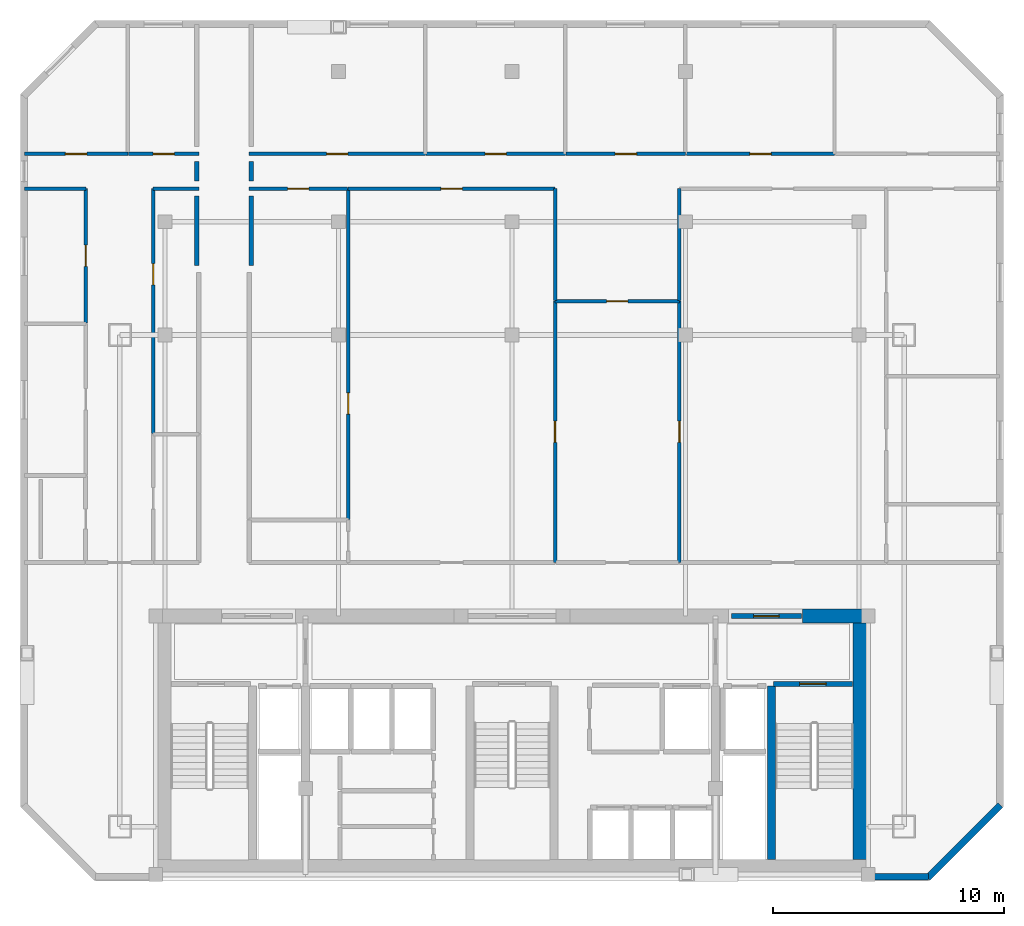
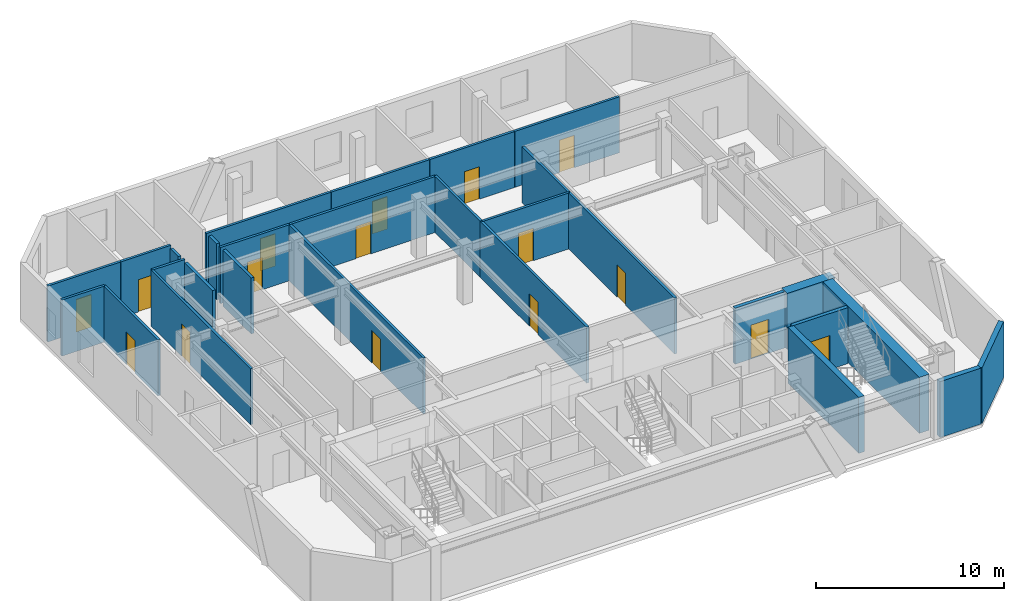
# One storey, part 4 of 7: 29 walls, 16 doors, 16 openings.
"""IFC4 building model written with IfcOpenShell, lengths in metres."""

from ifc_helpers import new_model, si_unit, direction, frame, frame_2d, origin, place, context, subcontext, project, spatial, rectangle, extrude, material, layer, layer_set, type_object, element, fill, save


model = new_model("IFC4")

# Units and contexts
model_context = context("Model", 3, precision=1e-05, world=origin(), true_north=direction((0.0, 1.0)))
body_context = subcontext(model_context, "Body", "Model", "MODEL_VIEW")
ifc_project = project(units=[si_unit("LENGTHUNIT", "METRE"), si_unit("AREAUNIT", "SQUARE_METRE"), si_unit("VOLUMEUNIT", "CUBIC_METRE"), si_unit("PLANEANGLEUNIT", "RADIAN"), si_unit("MASSUNIT", "GRAM", prefix="KILO")], contexts=[model_context])

# Site, building, storey
site_placement = place(None, origin())
site = spatial("IfcSite", under=ifc_project, at=site_placement, CompositionType="ELEMENT")
building_placement = place(site_placement, origin())
building = spatial("IfcBuilding", under=site, at=building_placement, Name="Ventersveld Concourse Tower", CompositionType="ELEMENT")
storey_placement = place(building_placement, frame((0.0, 0.0, 231.10009765625)))
storey = spatial("IfcBuildingStorey", under=building, at=storey_placement, Name="L57", CompositionType="ELEMENT", Elevation=231.10009765625)

# Walls
ifc_material_1 = material(Name="Concrete C50/60", Category="concrete")
ifc_layer_1 = layer(ifc_material_1, 0.35009765625)
ifc_layer_set_1 = layer_set([ifc_layer_1], Name="Concrete C50/60")
wall_type_1 = type_object("IfcWallType", Name="WL-CORE-350U", PredefinedType="SHEAR", material=ifc_layer_set_1)
wall_1_placement = place(storey_placement, frame((39.9599609375, 0.919921875, 0.0), z_axis=(0.0, 0.0, 1.0), x_axis=(0.0, 1.0, 0.0)))
element("IfcWall", 1, at=wall_1_placement, inside=storey, type_object=wall_type_1, Name="L57 Core Internal Shear Web W-ST2-W", PredefinedType="SHEAR", context=body_context, shape_type="SweptSolid", body=[
    extrude(rectangle(XDim=7.5, YDim=0.35009765625, at=frame_2d((3.75, 0.0))), origin(), (0.0, 0.0, 1.0), 3.6298828125),
])
ifc_layer_2 = layer(ifc_material_1, 0.60009765625)
ifc_layer_set_2 = layer_set([ifc_layer_2], Name="Concrete C50/60")
wall_type_2 = type_object("IfcWallType", Name="WL-CORE-600", PredefinedType="SHEAR", material=ifc_layer_set_2)
wall_2_placement = place(storey_placement, frame((43.800048828125, 0.919921875, 0.0), z_axis=(0.0, 0.0, 1.0), x_axis=(0.0, 1.0, 0.0)))
element("IfcWall", 2, at=wall_2_placement, inside=storey, type_object=wall_type_2, Name="L57 Rear Core East Shear Wall", PredefinedType="SHEAR", context=body_context, shape_type="SweptSolid", body=[
    extrude(rectangle(XDim=10.530029296875, YDim=0.60009765625, at=frame_2d((5.26513671875, 0.0))), origin(), (0.0, 0.0, 1.0), 3.6298828125),
])
wall_3_placement = place(storey_placement, frame((41.300048828125, 11.449951171875, 0.0), z_axis=(0.0, 0.0, 1.0), x_axis=(1.0, 0.0, 0.0)))
element("IfcWall", 3, at=wall_3_placement, inside=storey, type_object=wall_type_2, Name="L57 Rear Core North Shear Wall NE", PredefinedType="SHEAR", context=body_context, shape_type="SweptSolid", body=[
    extrude(rectangle(XDim=2.949951171875, YDim=0.60009765625, at=frame_2d((1.47509765625, 0.0))), origin(), (0.0, 0.0, 1.0), 3.6298828125),
])
ifc_material_2 = material(Name="Fire-rated autoclaved aerated masonry blockwork", Category="masonry")
ifc_layer_3 = layer(ifc_material_2, 0.179931640625)
ifc_layer_set_3 = layer_set([ifc_layer_3], Name="Fire-rated autoclaved aerated masonry blockwork")
wall_type_3 = type_object("IfcWallType", Name="WL-CORR-180", PredefinedType="PARTITIONING", material=ifc_layer_set_3)
wall_4_placement = place(storey_placement, frame((15.1201171875, 31.10498046875, 0.0), z_axis=(0.0, 0.0, 1.0), x_axis=(0.0, -1.0, 0.0)))
element("IfcWall", 4, at=wall_4_placement, inside=storey, type_object=wall_type_3, Name="L57 Room Enclosure Wall SP-L57-57NW-LIV", PredefinedType="PARTITIONING", context=body_context, shape_type="SweptSolid", body=[
    extrude(rectangle(XDim=0.85009765625, YDim=0.179931640625, at=frame_2d((0.425048828125, 0.0))), origin(), (0.0, 0.0, 1.0), 3.6298828125),
])
wall_5_placement = place(storey_placement, frame((15.1201171875, 29.60498046875, 0.0), z_axis=(0.0, 0.0, 1.0), x_axis=(0.0, -1.0, 0.0)))
element("IfcWall", 5, at=wall_5_placement, inside=storey, type_object=wall_type_3, Name="L57 Room Enclosure Wall SP-L57-57NW-MEDR1", PredefinedType="PARTITIONING", context=body_context, shape_type="SweptSolid", body=[
    extrude(rectangle(XDim=2.9951171875, YDim=0.179931640625, at=frame_2d((1.49755859375, 0.0))), origin(), (0.0, 0.0, 1.0), 3.6298828125),
])
wall_6_placement = place(storey_placement, frame((17.47998046875, 30.2548828125, 0.0), z_axis=(0.0, 0.0, 1.0), x_axis=(0.0, 1.0, 0.0)))
element("IfcWall", 6, at=wall_6_placement, inside=storey, type_object=wall_type_3, Name="L57 Room Enclosure Wall SP-L57-57N1-LIV", PredefinedType="PARTITIONING", context=body_context, shape_type="SweptSolid", body=[
    extrude(rectangle(XDim=0.85009765625, YDim=0.179931640625, at=frame_2d((0.425048828125, 0.0))), origin(), (0.0, 0.0, 1.0), 3.6298828125),
])
wall_7_placement = place(storey_placement, frame((17.47998046875, 26.60986328125, 0.0), z_axis=(0.0, 0.0, 1.0), x_axis=(0.0, 1.0, 0.0)))
element("IfcWall", 7, at=wall_7_placement, inside=storey, type_object=wall_type_3, Name="L57 Room Enclosure Wall SP-L57-57N1-MEDL0", PredefinedType="PARTITIONING", context=body_context, shape_type="SweptSolid", body=[
    extrude(rectangle(XDim=2.9951171875, YDim=0.179931640625, at=frame_2d((1.49755859375, 0.0))), origin(), (0.0, 0.0, 1.0), 3.6298828125),
])

# Wall, opening, door
ifc_layer_4 = layer(ifc_material_2, 0.219970703125)
ifc_layer_set_4 = layer_set([ifc_layer_4], Name="Fire-rated autoclaved aerated masonry blockwork")
wall_type_4 = type_object("IfcWallType", Name="WL-HOIST-220", PredefinedType="SOLIDWALL", material=ifc_layer_set_4)
wall_8_placement = place(storey_placement, frame((40.06005859375, 8.52001953125, 0.0), z_axis=(0.0, 0.0, 1.0), x_axis=(1.0, 0.0, 0.0)))
wall_8 = element("IfcWall", 8, at=wall_8_placement, inside=storey, type_object=wall_type_4, Name="L57 Escape Stair ST02 Fire Wall", PredefinedType="SOLIDWALL", context=body_context, shape_type="SweptSolid", body=[
    extrude(rectangle(XDim=3.39990234375, YDim=0.219970703125, at=frame_2d((1.699951171875, 0.0))), origin(), (0.0, 0.0, 1.0), 3.6298828125),
])
opening_1_placement = place(wall_8_placement, frame((1.125, 0.0, 0.0)))
opening_1 = element("IfcOpeningElement", 9, at=opening_1_placement, cuts=wall_8, Name="Opening FD1", PredefinedType="OPENING", context=body_context, shape_type="SweptSolid", body=[
    extrude(rectangle(XDim=1.14990234375, YDim=2.199951171875, at=frame_2d((0.574951171875, 1.10009765625))), frame((0.0, 0.1201171875, 0.0), z_axis=(0.0, -1.0, 0.0), x_axis=(1.0, 0.0, 0.0)), (0.0, 0.0, 1.0), 0.239990234375),
])
ifc_material_3 = material(Name="Galvanised painted steel", Category="steel")
door_type_1 = type_object("IfcDoorType", Name="DR-STAIR-115", OperationType="NOTDEFINED", PredefinedType="DOOR", material=ifc_material_3)
door_1_placement = place(opening_1_placement, origin())
door_1 = element("IfcDoor", 10, at=door_1_placement, inside=storey, type_object=door_type_1, Name="L57 Escape Stair Door ST02 (SD-L57-2737)", OperationType="SINGLE_SWING_RIGHT", OverallHeight=2.199951171875, OverallWidth=1.14990234375, PredefinedType="DOOR", context=body_context, shape_type="SweptSolid", body=[
    extrude(rectangle(XDim=1.14990234375, YDim=2.199951171875, at=frame_2d((0.574951171875, 1.10009765625))), frame((0.0, 0.02490234375, 0.0), z_axis=(0.0, -1.0, 0.0), x_axis=(1.0, 0.0, 0.0)), (0.0, 0.0, 1.0), 0.050048828125),
])
fill(opening_1, door_1)

wall_9_placement = place(storey_placement, frame((38.22998046875, 11.449951171875, 0.0), z_axis=(0.0, 0.0, 1.0), x_axis=(1.0, 0.0, 0.0)))
wall_9 = element("IfcWall", 11, at=wall_9_placement, inside=storey, type_object=wall_type_4, Name="L57 Core North Fire Portal FFLE-OUT", PredefinedType="SOLIDWALL", context=body_context, shape_type="SweptSolid", body=[
    extrude(rectangle(XDim=3.0400390625, YDim=0.219970703125, at=frame_2d((1.52001953125, 0.0))), origin(), (0.0, 0.0, 1.0), 3.6298828125),
])
opening_2_placement = place(wall_9_placement, frame((0.969970703125, 0.0, 0.0)))
opening_2 = element("IfcOpeningElement", 12, at=opening_2_placement, cuts=wall_9, Name="Opening FD2", PredefinedType="OPENING", context=body_context, shape_type="SweptSolid", body=[
    extrude(rectangle(XDim=1.10009765625, YDim=2.199951171875, at=frame_2d((0.550048828125, 1.10009765625))), frame((0.0, 0.1201171875, 0.0), z_axis=(0.0, -1.0, 0.0), x_axis=(1.0, 0.0, 0.0)), (0.0, 0.0, 1.0), 0.239990234375),
])
door_type_2 = type_object("IfcDoorType", Name="DR-FFL-110", OperationType="NOTDEFINED", PredefinedType="DOOR", material=ifc_material_3)
door_2_placement = place(opening_2_placement, origin())
door_2 = element("IfcDoor", 13, at=door_2_placement, inside=storey, type_object=door_type_2, Name="L57 Core Lobby Fire Door FFLE-OUT (FD-L57-2743)", OperationType="SINGLE_SWING_LEFT", OverallHeight=2.199951171875, OverallWidth=1.10009765625, PredefinedType="DOOR", context=body_context, shape_type="SweptSolid", body=[
    extrude(rectangle(XDim=1.10009765625, YDim=2.199951171875, at=frame_2d((0.550048828125, 1.10009765625))), frame((0.0, 0.02490234375, 0.0), z_axis=(0.0, -1.0, 0.0), x_axis=(1.0, 0.0, 0.0)), (0.0, 0.0, 1.0), 0.050048828125),
])
fill(opening_2, door_2)

ifc_material_4 = material(Name="Autoclaved aerated masonry blockwork", Category="masonry")
ifc_layer_5 = layer(ifc_material_4, 0.14990234375)
ifc_layer_set_5 = layer_set([ifc_layer_5], Name="Autoclaved aerated masonry blockwork")
wall_type_5 = type_object("IfcWallType", Name="WL-INT-150", PredefinedType="PARTITIONING", material=ifc_layer_set_5)
wall_10_placement = place(storey_placement, frame((10.31787109375, 24.122802734375, 0.0), z_axis=(0.0, 0.0, 1.0), x_axis=(0.0, 1.0, 0.0)))
wall_10 = element("IfcWall", 14, at=wall_10_placement, inside=storey, type_object=wall_type_5, Name="L57 Interior Partition SP-L57-57NW-LIV-SP-L57-57NW-OFFL2", PredefinedType="PARTITIONING", context=body_context, shape_type="SweptSolid", body=[
    extrude(rectangle(XDim=5.812255859375, YDim=0.14990234375, at=frame_2d((2.90625, 0.0))), origin(), (0.0, 0.0, 1.0), 3.6298828125),
])
opening_3_placement = place(wall_10_placement, frame((2.446044921875, 0.0, 0.0)))
opening_3 = element("IfcOpeningElement", 15, at=opening_3_placement, cuts=wall_10, Name="Opening ID1", PredefinedType="OPENING", context=body_context, shape_type="SweptSolid", body=[
    extrude(rectangle(XDim=0.919921875, YDim=2.10009765625, at=frame_2d((0.4599609375, 1.050048828125))), frame((0.0, 0.0849609375, 0.0), z_axis=(0.0, -1.0, 0.0), x_axis=(1.0, 0.0, 0.0)), (0.0, 0.0, 1.0), 0.169921875),
])
ifc_material_5 = material(Name="Solid-core hardwood veneer timber", Category="wood")
door_type_3 = type_object("IfcDoorType", Name="DR-ROOM-092", OperationType="NOTDEFINED", PredefinedType="DOOR", material=ifc_material_5)
door_3_placement = place(opening_3_placement, origin())
door_3 = element("IfcDoor", 16, at=door_3_placement, inside=storey, type_object=door_type_3, Name="L57 Interior Door SP-L57-57NW-LIV to SP-L57-57NW-OFFL2 (D-L57-2754)", OperationType="SINGLE_SWING_RIGHT", OverallHeight=2.10009765625, OverallWidth=0.919921875, PredefinedType="DOOR", context=body_context, shape_type="SweptSolid", body=[
    extrude(rectangle(XDim=0.919921875, YDim=2.10009765625, at=frame_2d((0.4599609375, 1.050048828125))), frame((0.0, 0.02490234375, 0.0), z_axis=(0.0, -1.0, 0.0), x_axis=(1.0, 0.0, 0.0)), (0.0, 0.0, 1.0), 0.050048828125),
])
fill(opening_3, door_3)

# Wall
wall_11_placement = place(storey_placement, frame((7.672607421875, 29.929931640625, 0.0), z_axis=(0.0, 0.0, 1.0), x_axis=(1.0, 0.0, 0.0)))
element("IfcWall", 17, at=wall_11_placement, inside=storey, type_object=wall_type_5, Name="L57 Interior Partition SP-L57-57NW-LIV-SP-L57-57NW-OFFL2", PredefinedType="PARTITIONING", context=body_context, shape_type="SweptSolid", body=[
    extrude(rectangle(XDim=2.650146484375, YDim=0.14990234375, at=frame_2d((1.3251953125, 0.0))), origin(), (0.0, 0.0, 1.0), 3.6298828125),
])

# Wall, opening, door
wall_12_placement = place(storey_placement, frame((13.23828125, 19.3427734375, 0.0), z_axis=(0.0, 0.0, 1.0), x_axis=(0.0, 1.0, 0.0)))
wall_12 = element("IfcWall", 18, at=wall_12_placement, inside=storey, type_object=wall_type_5, Name="L57 Interior Partition SP-L57-57NW-LIV-SP-L57-57NW-MEDR1", PredefinedType="PARTITIONING", context=body_context, shape_type="SweptSolid", body=[
    extrude(rectangle(XDim=10.59228515625, YDim=0.14990234375, at=frame_2d((5.296142578125, 0.0))), origin(), (0.0, 0.0, 1.0), 3.6298828125),
])
opening_4_placement = place(wall_12_placement, frame((6.425048828125, 0.0, 0.0)))
opening_4 = element("IfcOpeningElement", 19, at=opening_4_placement, cuts=wall_12, Name="Opening ID1", PredefinedType="OPENING", context=body_context, shape_type="SweptSolid", body=[
    extrude(rectangle(XDim=0.919921875, YDim=2.10009765625, at=frame_2d((0.4599609375, 1.050048828125))), frame((0.0, 0.0849609375, 0.0), z_axis=(0.0, -1.0, 0.0), x_axis=(1.0, 0.0, 0.0)), (0.0, 0.0, 1.0), 0.169921875),
])
door_4_placement = place(opening_4_placement, origin())
door_4 = element("IfcDoor", 20, at=door_4_placement, inside=storey, type_object=door_type_3, Name="L57 Interior Door SP-L57-57NW-LIV to SP-L57-57NW-MEDR1 (D-L57-2756)", OperationType="SINGLE_SWING_RIGHT", OverallHeight=2.10009765625, OverallWidth=0.919921875, PredefinedType="DOOR", context=body_context, shape_type="SweptSolid", body=[
    extrude(rectangle(XDim=0.919921875, YDim=2.10009765625, at=frame_2d((0.4599609375, 1.050048828125))), frame((0.0, 0.02490234375, 0.0), z_axis=(0.0, -1.0, 0.0), x_axis=(1.0, 0.0, 0.0)), (0.0, 0.0, 1.0), 0.050048828125),
])
fill(opening_4, door_4)

# Wall
wall_13_placement = place(storey_placement, frame((13.233154296875, 29.929931640625, 0.0), z_axis=(0.0, 0.0, 1.0), x_axis=(1.0, 0.0, 0.0)))
element("IfcWall", 21, at=wall_13_placement, inside=storey, type_object=wall_type_5, Name="L57 Interior Partition SP-L57-57NW-LIV-SP-L57-57NW-MEDR1", PredefinedType="PARTITIONING", context=body_context, shape_type="SweptSolid", body=[
    extrude(rectangle(XDim=1.98193359375, YDim=0.14990234375, at=frame_2d((0.990966796875, 0.0))), origin(), (0.0, 0.0, 1.0), 3.6298828125),
])

# Wall, opening, door
wall_14_placement = place(storey_placement, frame((7.672607421875, 31.429931640625, 0.0), z_axis=(0.0, 0.0, 1.0), x_axis=(1.0, 0.0, 0.0)))
wall_14 = element("IfcWall", 22, at=wall_14_placement, inside=storey, type_object=wall_type_5, Name="L57 Interior Partition SP-L57-57NW-LIV-SP-L57-57NW-BR1", PredefinedType="PARTITIONING", context=body_context, shape_type="SweptSolid", body=[
    extrude(rectangle(XDim=4.46826171875, YDim=0.14990234375, at=frame_2d((2.234130859375, 0.0))), origin(), (0.0, 0.0, 1.0), 3.6298828125),
])
opening_5_placement = place(wall_14_placement, frame((1.774169921875, 0.0, 0.0)))
opening_5 = element("IfcOpeningElement", 23, at=opening_5_placement, cuts=wall_14, Name="Opening ID1", PredefinedType="OPENING", context=body_context, shape_type="SweptSolid", body=[
    extrude(rectangle(XDim=0.919921875, YDim=2.10009765625, at=frame_2d((0.4599609375, 1.050048828125))), frame((0.0, 0.0849609375, 0.0), z_axis=(0.0, -1.0, 0.0), x_axis=(1.0, 0.0, 0.0)), (0.0, 0.0, 1.0), 0.169921875),
])
door_5_placement = place(opening_5_placement, origin())
door_5 = element("IfcDoor", 24, at=door_5_placement, inside=storey, type_object=door_type_3, Name="L57 Interior Door SP-L57-57NW-LIV to SP-L57-57NW-BR1 (D-L57-2757)", OperationType="SINGLE_SWING_LEFT", OverallHeight=2.10009765625, OverallWidth=0.919921875, PredefinedType="DOOR", context=body_context, shape_type="SweptSolid", body=[
    extrude(rectangle(XDim=0.919921875, YDim=2.10009765625, at=frame_2d((0.4599609375, 1.050048828125))), frame((0.0, 0.02490234375, 0.0), z_axis=(0.0, -1.0, 0.0), x_axis=(1.0, 0.0, 0.0)), (0.0, 0.0, 1.0), 0.050048828125),
])
fill(opening_5, door_5)

wall_15_placement = place(storey_placement, frame((12.1708984375, 31.429931640625, 0.0), z_axis=(0.0, 0.0, 1.0), x_axis=(1.0, 0.0, 0.0)))
wall_15 = element("IfcWall", 25, at=wall_15_placement, inside=storey, type_object=wall_type_5, Name="L57 Interior Partition SP-L57-57NW-LIV-SP-L57-57NW-BR2", PredefinedType="PARTITIONING", context=body_context, shape_type="SweptSolid", body=[
    extrude(rectangle(XDim=3.044189453125, YDim=0.14990234375, at=frame_2d((1.52197265625, 0.0))), origin(), (0.0, 0.0, 1.0), 3.6298828125),
])
opening_6_placement = place(wall_15_placement, frame((1.06201171875, 0.0, 0.0)))
opening_6 = element("IfcOpeningElement", 26, at=opening_6_placement, cuts=wall_15, Name="Opening ID1", PredefinedType="OPENING", context=body_context, shape_type="SweptSolid", body=[
    extrude(rectangle(XDim=0.919921875, YDim=2.10009765625, at=frame_2d((0.4599609375, 1.050048828125))), frame((0.0, 0.0849609375, 0.0), z_axis=(0.0, -1.0, 0.0), x_axis=(1.0, 0.0, 0.0)), (0.0, 0.0, 1.0), 0.169921875),
])
door_6_placement = place(opening_6_placement, origin())
door_6 = element("IfcDoor", 27, at=door_6_placement, inside=storey, type_object=door_type_3, Name="L57 Interior Door SP-L57-57NW-LIV to SP-L57-57NW-BR2 (D-L57-2758)", OperationType="SINGLE_SWING_RIGHT", OverallHeight=2.10009765625, OverallWidth=0.919921875, PredefinedType="DOOR", context=body_context, shape_type="SweptSolid", body=[
    extrude(rectangle(XDim=0.919921875, YDim=2.10009765625, at=frame_2d((0.4599609375, 1.050048828125))), frame((0.0, 0.02490234375, 0.0), z_axis=(0.0, -1.0, 0.0), x_axis=(1.0, 0.0, 0.0)), (0.0, 0.0, 1.0), 0.050048828125),
])
fill(opening_6, door_6)

wall_16_placement = place(storey_placement, frame((30.610107421875, 13.764892578125, 0.0), z_axis=(0.0, 0.0, 1.0), x_axis=(0.0, 1.0, 0.0)))
wall_16 = element("IfcWall", 28, at=wall_16_placement, inside=storey, type_object=wall_type_5, Name="L57 Interior Partition SP-L57-57N1-WGAL1-SP-L57-57N1-FOY", PredefinedType="PARTITIONING", context=body_context, shape_type="SweptSolid", body=[
    extrude(rectangle(XDim=11.304931640625, YDim=0.14990234375, at=frame_2d((5.65234375, 0.0))), origin(), (0.0, 0.0, 1.0), 3.6298828125),
])
opening_7_placement = place(wall_16_placement, frame((5.1923828125, 0.0, 0.0)))
opening_7 = element("IfcOpeningElement", 29, at=opening_7_placement, cuts=wall_16, Name="Opening ID1", PredefinedType="OPENING", context=body_context, shape_type="SweptSolid", body=[
    extrude(rectangle(XDim=0.919921875, YDim=2.10009765625, at=frame_2d((0.4599609375, 1.050048828125))), frame((0.0, 0.0849609375, 0.0), z_axis=(0.0, -1.0, 0.0), x_axis=(1.0, 0.0, 0.0)), (0.0, 0.0, 1.0), 0.169921875),
])
door_7_placement = place(opening_7_placement, origin())
door_7 = element("IfcDoor", 30, at=door_7_placement, inside=storey, type_object=door_type_3, Name="L57 Interior Door SP-L57-57N1-WGAL1 to SP-L57-57N1-FOY (D-L57-2759)", OperationType="SINGLE_SWING_LEFT", OverallHeight=2.10009765625, OverallWidth=0.919921875, PredefinedType="DOOR", context=body_context, shape_type="SweptSolid", body=[
    extrude(rectangle(XDim=0.919921875, YDim=2.10009765625, at=frame_2d((0.4599609375, 1.050048828125))), frame((0.0, 0.02490234375, 0.0), z_axis=(0.0, -1.0, 0.0), x_axis=(1.0, 0.0, 0.0)), (0.0, 0.0, 1.0), 0.050048828125),
])
fill(opening_7, door_7)

wall_17_placement = place(storey_placement, frame((21.6650390625, 29.929931640625, 0.0), z_axis=(0.0, 0.0, 1.0), x_axis=(1.0, 0.0, 0.0)))
wall_17 = element("IfcWall", 31, at=wall_17_placement, inside=storey, type_object=wall_type_5, Name="L57 Interior Partition SP-L57-57N1-WGAL1-SP-L57-57N1-LIV", PredefinedType="PARTITIONING", context=body_context, shape_type="SweptSolid", body=[
    extrude(rectangle(XDim=8.949951171875, YDim=0.14990234375, at=frame_2d((4.47509765625, 0.0))), origin(), (0.0, 0.0, 1.0), 3.6298828125),
])
opening_8_placement = place(wall_17_placement, frame((4.014892578125, 0.0, 0.0)))
opening_8 = element("IfcOpeningElement", 32, at=opening_8_placement, cuts=wall_17, Name="Opening ID1", PredefinedType="OPENING", context=body_context, shape_type="SweptSolid", body=[
    extrude(rectangle(XDim=0.919921875, YDim=2.10009765625, at=frame_2d((0.4599609375, 1.050048828125))), frame((0.0, 0.0849609375, 0.0), z_axis=(0.0, -1.0, 0.0), x_axis=(1.0, 0.0, 0.0)), (0.0, 0.0, 1.0), 0.169921875),
])
door_8_placement = place(opening_8_placement, origin())
door_8 = element("IfcDoor", 33, at=door_8_placement, inside=storey, type_object=door_type_3, Name="L57 Interior Door SP-L57-57N1-WGAL1 to SP-L57-57N1-LIV (D-L57-2760)", OperationType="SINGLE_SWING_RIGHT", OverallHeight=2.10009765625, OverallWidth=0.919921875, PredefinedType="DOOR", context=body_context, shape_type="SweptSolid", body=[
    extrude(rectangle(XDim=0.919921875, YDim=2.10009765625, at=frame_2d((0.4599609375, 1.050048828125))), frame((0.0, 0.02490234375, 0.0), z_axis=(0.0, -1.0, 0.0), x_axis=(1.0, 0.0, 0.0)), (0.0, 0.0, 1.0), 0.050048828125),
])
fill(opening_8, door_8)

# Wall
wall_18_placement = place(storey_placement, frame((30.610107421875, 25.099853515625, 0.0), z_axis=(0.0, 0.0, 1.0), x_axis=(0.0, 1.0, 0.0)))
element("IfcWall", 34, at=wall_18_placement, inside=storey, type_object=wall_type_5, Name="L57 Interior Partition SP-L57-57N1-WGAL1-SP-L57-57N1-LIV", PredefinedType="PARTITIONING", context=body_context, shape_type="SweptSolid", body=[
    extrude(rectangle(XDim=4.835205078125, YDim=0.14990234375, at=frame_2d((2.41748046875, 0.0))), origin(), (0.0, 0.0, 1.0), 3.6298828125),
])

# Wall, opening, door
wall_19_placement = place(storey_placement, frame((21.669921875, 15.635009765625, 0.0), z_axis=(0.0, 0.0, 1.0), x_axis=(0.0, 1.0, 0.0)))
wall_19 = element("IfcWall", 35, at=wall_19_placement, inside=storey, type_object=wall_type_5, Name="L57 Interior Partition SP-L57-57N1-WGAL1-SP-L57-57N1-MEDL0", PredefinedType="PARTITIONING", context=body_context, shape_type="SweptSolid", body=[
    extrude(rectangle(XDim=14.300048828125, YDim=0.14990234375, at=frame_2d((7.14990234375, 0.0))), origin(), (0.0, 0.0, 1.0), 3.6298828125),
])
opening_9_placement = place(wall_19_placement, frame((4.544921875, 0.0, 0.0)))
opening_9 = element("IfcOpeningElement", 36, at=opening_9_placement, cuts=wall_19, Name="Opening ID1", PredefinedType="OPENING", context=body_context, shape_type="SweptSolid", body=[
    extrude(rectangle(XDim=0.919921875, YDim=2.10009765625, at=frame_2d((0.4599609375, 1.050048828125))), frame((0.0, 0.0849609375, 0.0), z_axis=(0.0, -1.0, 0.0), x_axis=(1.0, 0.0, 0.0)), (0.0, 0.0, 1.0), 0.169921875),
])
door_9_placement = place(opening_9_placement, origin())
door_9 = element("IfcDoor", 37, at=door_9_placement, inside=storey, type_object=door_type_3, Name="L57 Interior Door SP-L57-57N1-WGAL1 to SP-L57-57N1-MEDL0 (D-L57-2762)", OperationType="SINGLE_SWING_RIGHT", OverallHeight=2.10009765625, OverallWidth=0.919921875, PredefinedType="DOOR", context=body_context, shape_type="SweptSolid", body=[
    extrude(rectangle(XDim=0.919921875, YDim=2.10009765625, at=frame_2d((0.4599609375, 1.050048828125))), frame((0.0, 0.02490234375, 0.0), z_axis=(0.0, -1.0, 0.0), x_axis=(1.0, 0.0, 0.0)), (0.0, 0.0, 1.0), 0.050048828125),
])
fill(opening_9, door_9)

wall_20_placement = place(storey_placement, frame((35.989990234375, 13.764892578125, 0.0), z_axis=(0.0, 0.0, 1.0), x_axis=(0.0, 1.0, 0.0)))
wall_20 = element("IfcWall", 38, at=wall_20_placement, inside=storey, type_object=wall_type_5, Name="L57 Interior Partition SP-L57-57N1-EGAL1-SP-L57-57N1-FOY", PredefinedType="PARTITIONING", context=body_context, shape_type="SweptSolid", body=[
    extrude(rectangle(XDim=11.304931640625, YDim=0.14990234375, at=frame_2d((5.65234375, 0.0))), origin(), (0.0, 0.0, 1.0), 3.6298828125),
])
opening_10_placement = place(wall_20_placement, frame((5.1923828125, 0.0, 0.0)))
opening_10 = element("IfcOpeningElement", 39, at=opening_10_placement, cuts=wall_20, Name="Opening ID1", PredefinedType="OPENING", context=body_context, shape_type="SweptSolid", body=[
    extrude(rectangle(XDim=0.919921875, YDim=2.10009765625, at=frame_2d((0.4599609375, 1.050048828125))), frame((0.0, 0.0849609375, 0.0), z_axis=(0.0, -1.0, 0.0), x_axis=(1.0, 0.0, 0.0)), (0.0, 0.0, 1.0), 0.169921875),
])
door_10_placement = place(opening_10_placement, origin())
door_10 = element("IfcDoor", 40, at=door_10_placement, inside=storey, type_object=door_type_3, Name="L57 Interior Door SP-L57-57N1-EGAL1 to SP-L57-57N1-FOY (D-L57-2763)", OperationType="SINGLE_SWING_LEFT", OverallHeight=2.10009765625, OverallWidth=0.919921875, PredefinedType="DOOR", context=body_context, shape_type="SweptSolid", body=[
    extrude(rectangle(XDim=0.919921875, YDim=2.10009765625, at=frame_2d((0.4599609375, 1.050048828125))), frame((0.0, 0.02490234375, 0.0), z_axis=(0.0, -1.0, 0.0), x_axis=(1.0, 0.0, 0.0)), (0.0, 0.0, 1.0), 0.050048828125),
])
fill(opening_10, door_10)

# Wall
wall_21_placement = place(storey_placement, frame((35.989990234375, 25.099853515625, 0.0), z_axis=(0.0, 0.0, 1.0), x_axis=(0.0, 1.0, 0.0)))
element("IfcWall", 41, at=wall_21_placement, inside=storey, type_object=wall_type_5, Name="L57 Interior Partition SP-L57-57N1-EGAL1-SP-L57-57N1-LIV", PredefinedType="PARTITIONING", context=body_context, shape_type="SweptSolid", body=[
    extrude(rectangle(XDim=4.835205078125, YDim=0.14990234375, at=frame_2d((2.41748046875, 0.0))), origin(), (0.0, 0.0, 1.0), 3.6298828125),
])

# Wall, opening, door
wall_22_placement = place(storey_placement, frame((30.60498046875, 25.064697265625, 0.0), z_axis=(0.0, 0.0, 1.0), x_axis=(1.0, 0.0, 0.0)))
wall_22 = element("IfcWall", 42, at=wall_22_placement, inside=storey, type_object=wall_type_5, Name="L57 Interior Partition SP-L57-57N1-FOY-SP-L57-57N1-LIV", PredefinedType="PARTITIONING", context=body_context, shape_type="SweptSolid", body=[
    extrude(rectangle(XDim=5.39013671875, YDim=0.14990234375, at=frame_2d((2.695068359375, 0.0))), origin(), (0.0, 0.0, 1.0), 3.6298828125),
])
opening_11_placement = place(wall_22_placement, frame((2.235107421875, 0.0, 0.0)))
opening_11 = element("IfcOpeningElement", 43, at=opening_11_placement, cuts=wall_22, Name="Opening ID1", PredefinedType="OPENING", context=body_context, shape_type="SweptSolid", body=[
    extrude(rectangle(XDim=0.919921875, YDim=2.10009765625, at=frame_2d((0.4599609375, 1.050048828125))), frame((0.0, 0.0849609375, 0.0), z_axis=(0.0, -1.0, 0.0), x_axis=(1.0, 0.0, 0.0)), (0.0, 0.0, 1.0), 0.169921875),
])
door_11_placement = place(opening_11_placement, origin())
door_11 = element("IfcDoor", 44, at=door_11_placement, inside=storey, type_object=door_type_3, Name="L57 Interior Door SP-L57-57N1-FOY to SP-L57-57N1-LIV (D-L57-2768)", OperationType="SINGLE_SWING_RIGHT", OverallHeight=2.10009765625, OverallWidth=0.919921875, PredefinedType="DOOR", context=body_context, shape_type="SweptSolid", body=[
    extrude(rectangle(XDim=0.919921875, YDim=2.10009765625, at=frame_2d((0.4599609375, 1.050048828125))), frame((0.0, 0.02490234375, 0.0), z_axis=(0.0, -1.0, 0.0), x_axis=(1.0, 0.0, 0.0)), (0.0, 0.0, 1.0), 0.050048828125),
])
fill(opening_11, door_11)

wall_23_placement = place(storey_placement, frame((17.385009765625, 29.929931640625, 0.0), z_axis=(0.0, 0.0, 1.0), x_axis=(1.0, 0.0, 0.0)))
wall_23 = element("IfcWall", 45, at=wall_23_placement, inside=storey, type_object=wall_type_5, Name="L57 Interior Partition SP-L57-57N1-LIV-SP-L57-57N1-MEDL0", PredefinedType="PARTITIONING", context=body_context, shape_type="SweptSolid", body=[
    extrude(rectangle(XDim=4.25, YDim=0.14990234375, at=frame_2d((2.125, 0.0))), origin(), (0.0, 0.0, 1.0), 3.6298828125),
])
opening_12_placement = place(wall_23_placement, frame((1.6650390625, 0.0, 0.0)))
opening_12 = element("IfcOpeningElement", 46, at=opening_12_placement, cuts=wall_23, Name="Opening ID1", PredefinedType="OPENING", context=body_context, shape_type="SweptSolid", body=[
    extrude(rectangle(XDim=0.919921875, YDim=2.10009765625, at=frame_2d((0.4599609375, 1.050048828125))), frame((0.0, 0.0849609375, 0.0), z_axis=(0.0, -1.0, 0.0), x_axis=(1.0, 0.0, 0.0)), (0.0, 0.0, 1.0), 0.169921875),
])
door_12_placement = place(opening_12_placement, origin())
door_12 = element("IfcDoor", 47, at=door_12_placement, inside=storey, type_object=door_type_3, Name="L57 Interior Door SP-L57-57N1-LIV to SP-L57-57N1-MEDL0 (D-L57-2769)", OperationType="SINGLE_SWING_LEFT", OverallHeight=2.10009765625, OverallWidth=0.919921875, PredefinedType="DOOR", context=body_context, shape_type="SweptSolid", body=[
    extrude(rectangle(XDim=0.919921875, YDim=2.10009765625, at=frame_2d((0.4599609375, 1.050048828125))), frame((0.0, 0.02490234375, 0.0), z_axis=(0.0, -1.0, 0.0), x_axis=(1.0, 0.0, 0.0)), (0.0, 0.0, 1.0), 0.050048828125),
])
fill(opening_12, door_12)

wall_24_placement = place(storey_placement, frame((17.385009765625, 31.429931640625, 0.0), z_axis=(0.0, 0.0, 1.0), x_axis=(1.0, 0.0, 0.0)))
wall_24 = element("IfcWall", 48, at=wall_24_placement, inside=storey, type_object=wall_type_5, Name="L57 Interior Partition SP-L57-57N1-LIV-SP-L57-57N1-BR1", PredefinedType="PARTITIONING", context=body_context, shape_type="SweptSolid", body=[
    extrude(rectangle(XDim=7.62646484375, YDim=0.14990234375, at=frame_2d((3.813232421875, 0.0))), origin(), (0.0, 0.0, 1.0), 3.6298828125),
])
opening_13_placement = place(wall_24_placement, frame((3.353271484375, 0.0, 0.0)))
opening_13 = element("IfcOpeningElement", 49, at=opening_13_placement, cuts=wall_24, Name="Opening ID1", PredefinedType="OPENING", context=body_context, shape_type="SweptSolid", body=[
    extrude(rectangle(XDim=0.919921875, YDim=2.10009765625, at=frame_2d((0.4599609375, 1.050048828125))), frame((0.0, 0.0849609375, 0.0), z_axis=(0.0, -1.0, 0.0), x_axis=(1.0, 0.0, 0.0)), (0.0, 0.0, 1.0), 0.169921875),
])
door_13_placement = place(opening_13_placement, origin())
door_13 = element("IfcDoor", 50, at=door_13_placement, inside=storey, type_object=door_type_3, Name="L57 Interior Door SP-L57-57N1-LIV to SP-L57-57N1-BR1 (D-L57-2771)", OperationType="SINGLE_SWING_LEFT", OverallHeight=2.10009765625, OverallWidth=0.919921875, PredefinedType="DOOR", context=body_context, shape_type="SweptSolid", body=[
    extrude(rectangle(XDim=0.919921875, YDim=2.10009765625, at=frame_2d((0.4599609375, 1.050048828125))), frame((0.0, 0.02490234375, 0.0), z_axis=(0.0, -1.0, 0.0), x_axis=(1.0, 0.0, 0.0)), (0.0, 0.0, 1.0), 0.050048828125),
])
fill(opening_13, door_13)

wall_25_placement = place(storey_placement, frame((25.04150390625, 31.429931640625, 0.0), z_axis=(0.0, 0.0, 1.0), x_axis=(1.0, 0.0, 0.0)))
wall_25 = element("IfcWall", 51, at=wall_25_placement, inside=storey, type_object=wall_type_5, Name="L57 Interior Partition SP-L57-57N1-LIV-SP-L57-57N1-BR2", PredefinedType="PARTITIONING", context=body_context, shape_type="SweptSolid", body=[
    extrude(rectangle(XDim=6.02099609375, YDim=0.14990234375, at=frame_2d((3.010498046875, 0.0))), origin(), (0.0, 0.0, 1.0), 3.6298828125),
])
opening_14_placement = place(wall_25_placement, frame((2.55029296875, 0.0, 0.0)))
opening_14 = element("IfcOpeningElement", 52, at=opening_14_placement, cuts=wall_25, Name="Opening ID1", PredefinedType="OPENING", context=body_context, shape_type="SweptSolid", body=[
    extrude(rectangle(XDim=0.919921875, YDim=2.10009765625, at=frame_2d((0.4599609375, 1.050048828125))), frame((0.0, 0.0849609375, 0.0), z_axis=(0.0, -1.0, 0.0), x_axis=(1.0, 0.0, 0.0)), (0.0, 0.0, 1.0), 0.169921875),
])
door_14_placement = place(opening_14_placement, origin())
door_14 = element("IfcDoor", 53, at=door_14_placement, inside=storey, type_object=door_type_3, Name="L57 Interior Door SP-L57-57N1-LIV to SP-L57-57N1-BR2 (D-L57-2772)", OperationType="SINGLE_SWING_RIGHT", OverallHeight=2.10009765625, OverallWidth=0.919921875, PredefinedType="DOOR", context=body_context, shape_type="SweptSolid", body=[
    extrude(rectangle(XDim=0.919921875, YDim=2.10009765625, at=frame_2d((0.4599609375, 1.050048828125))), frame((0.0, 0.02490234375, 0.0), z_axis=(0.0, -1.0, 0.0), x_axis=(1.0, 0.0, 0.0)), (0.0, 0.0, 1.0), 0.050048828125),
])
fill(opening_14, door_14)

wall_26_placement = place(storey_placement, frame((31.09228515625, 31.429931640625, 0.0), z_axis=(0.0, 0.0, 1.0), x_axis=(1.0, 0.0, 0.0)))
wall_26 = element("IfcWall", 54, at=wall_26_placement, inside=storey, type_object=wall_type_5, Name="L57 Interior Partition SP-L57-57N1-LIV-SP-L57-57N1-BR3", PredefinedType="PARTITIONING", context=body_context, shape_type="SweptSolid", body=[
    extrude(rectangle(XDim=5.16259765625, YDim=0.14990234375, at=frame_2d((2.581298828125, 0.0))), origin(), (0.0, 0.0, 1.0), 3.6298828125),
])
opening_15_placement = place(wall_26_placement, frame((2.121337890625, 0.0, 0.0)))
opening_15 = element("IfcOpeningElement", 55, at=opening_15_placement, cuts=wall_26, Name="Opening ID1", PredefinedType="OPENING", context=body_context, shape_type="SweptSolid", body=[
    extrude(rectangle(XDim=0.919921875, YDim=2.10009765625, at=frame_2d((0.4599609375, 1.050048828125))), frame((0.0, 0.0849609375, 0.0), z_axis=(0.0, -1.0, 0.0), x_axis=(1.0, 0.0, 0.0)), (0.0, 0.0, 1.0), 0.169921875),
])
door_15_placement = place(opening_15_placement, origin())
door_15 = element("IfcDoor", 56, at=door_15_placement, inside=storey, type_object=door_type_3, Name="L57 Interior Door SP-L57-57N1-LIV to SP-L57-57N1-BR3 (D-L57-2773)", OperationType="SINGLE_SWING_LEFT", OverallHeight=2.10009765625, OverallWidth=0.919921875, PredefinedType="DOOR", context=body_context, shape_type="SweptSolid", body=[
    extrude(rectangle(XDim=0.919921875, YDim=2.10009765625, at=frame_2d((0.4599609375, 1.050048828125))), frame((0.0, 0.02490234375, 0.0), z_axis=(0.0, -1.0, 0.0), x_axis=(1.0, 0.0, 0.0)), (0.0, 0.0, 1.0), 0.050048828125),
])
fill(opening_15, door_15)

wall_27_placement = place(storey_placement, frame((36.284912109375, 31.429931640625, 0.0), z_axis=(0.0, 0.0, 1.0), x_axis=(1.0, 0.0, 0.0)))
wall_27 = element("IfcWall", 57, at=wall_27_placement, inside=storey, type_object=wall_type_5, Name="L57 Interior Partition SP-L57-57N1-LIV-SP-L57-57N1-BR4", PredefinedType="PARTITIONING", context=body_context, shape_type="SweptSolid", body=[
    extrude(rectangle(XDim=6.412353515625, YDim=0.14990234375, at=frame_2d((3.2060546875, 0.0))), origin(), (0.0, 0.0, 1.0), 3.6298828125),
])
opening_16_placement = place(wall_27_placement, frame((2.74609375, 0.0, 0.0)))
opening_16 = element("IfcOpeningElement", 58, at=opening_16_placement, cuts=wall_27, Name="Opening ID1", PredefinedType="OPENING", context=body_context, shape_type="SweptSolid", body=[
    extrude(rectangle(XDim=0.919921875, YDim=2.10009765625, at=frame_2d((0.4599609375, 1.050048828125))), frame((0.0, 0.0849609375, 0.0), z_axis=(0.0, -1.0, 0.0), x_axis=(1.0, 0.0, 0.0)), (0.0, 0.0, 1.0), 0.169921875),
])
door_16_placement = place(opening_16_placement, origin())
door_16 = element("IfcDoor", 59, at=door_16_placement, inside=storey, type_object=door_type_3, Name="L57 Interior Door SP-L57-57N1-LIV to SP-L57-57N1-BR4 (D-L57-2774)", OperationType="SINGLE_SWING_RIGHT", OverallHeight=2.10009765625, OverallWidth=0.919921875, PredefinedType="DOOR", context=body_context, shape_type="SweptSolid", body=[
    extrude(rectangle(XDim=0.919921875, YDim=2.10009765625, at=frame_2d((0.4599609375, 1.050048828125))), frame((0.0, 0.02490234375, 0.0), z_axis=(0.0, -1.0, 0.0), x_axis=(1.0, 0.0, 0.0)), (0.0, 0.0, 1.0), 0.050048828125),
])
fill(opening_16, door_16)

# Walls
ifc_material_6 = material(Name="Precast concrete C45/55", Category="concrete")
ifc_layer_6 = layer(ifc_material_6, 0.300048828125)
ifc_layer_set_6 = layer_set([ifc_layer_6], Name="Precast concrete C45/55")
wall_type_6 = type_object("IfcWallType", Name="WL-PREC-300", PredefinedType="SOLIDWALL", material=ifc_layer_set_6)
wall_28_placement = place(storey_placement, frame((44.25, 0.179931640625, 0.0), z_axis=(0.0, 0.0, 1.0), x_axis=(1.0, 0.0, 0.0)))
element("IfcWall", 60, at=wall_28_placement, inside=storey, type_object=wall_type_6, Name="L57 South-East Flank Precast Wall", PredefinedType="SOLIDWALL", context=body_context, shape_type="SweptSolid", body=[
    extrude(rectangle(XDim=2.510009765625, YDim=0.300048828125, at=frame_2d((1.2548828125, 0.0))), origin(), (0.0, 0.0, 1.0), 3.6298828125),
])
wall_29_placement = place(storey_placement, frame((46.72216796875, 0.134521484375, 0.0), z_axis=(0.0, 0.0, 1.0), x_axis=(0.707106781187, 0.707106781187, 0.0)))
element("IfcWall", 61, at=wall_29_placement, inside=storey, type_object=wall_type_6, Name="L57 Highveld Precast Facade Wall E02", PredefinedType="SOLIDWALL", context=body_context, shape_type="SweptSolid", body=[
    extrude(rectangle(XDim=4.4453125, YDim=0.300048828125, at=frame_2d((2.22265625, 0.0))), origin(), (0.0, 0.0, 1.0), 3.6298828125),
])

save(model, "model.ifc")
